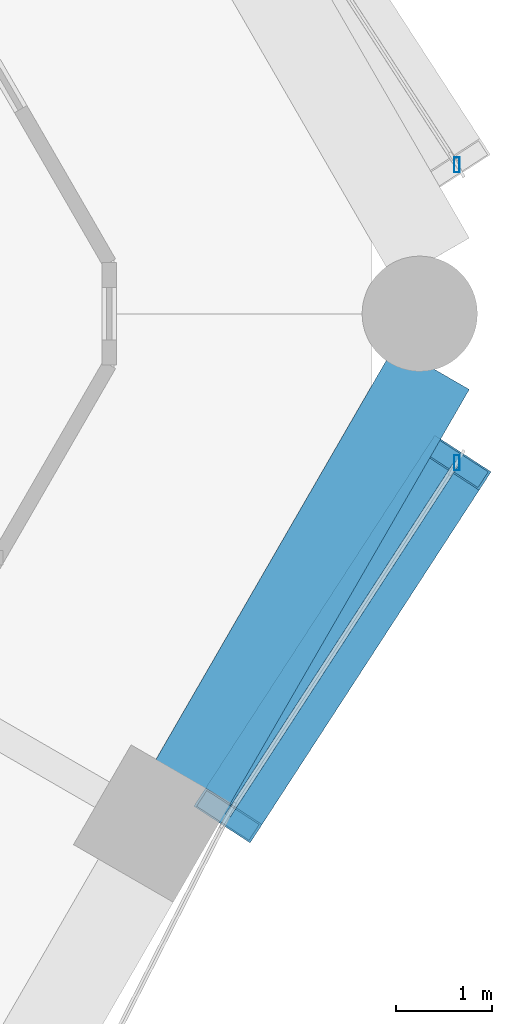
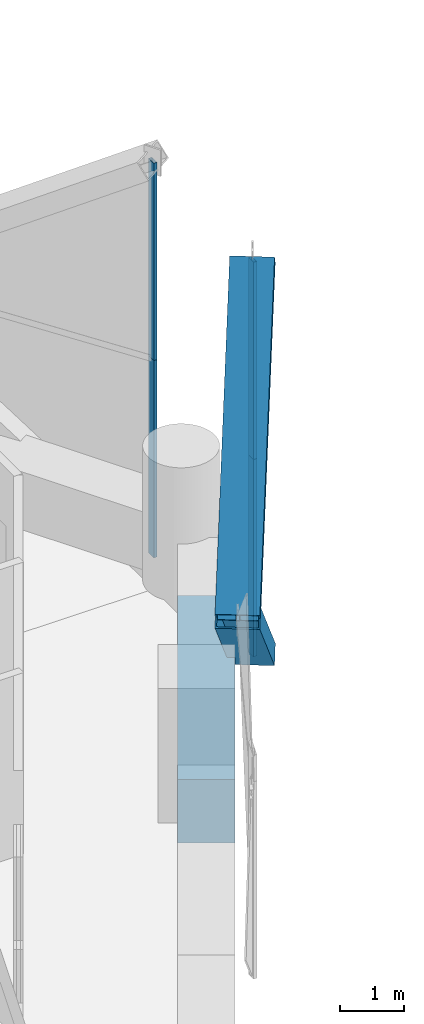
# One storey, part 13 of 36: 7 members, 1 beam, 3 elements without a shape of their own.
"""IFC4 building model written with IfcOpenShell, lengths in metres."""

from ifc_helpers import new_model, si_unit, direction, frame, origin, origin_2d, place, context, subcontext, project, spatial, rectangle, hollow_rectangle, extrude, material, material_profile, profile_set, type_object, element, aggregate, save


model = new_model("IFC4")

# Units and contexts
model_context = context("Model", 3, precision=1e-05, world=origin(), true_north=direction((0.0, 1.0)))
body_context = subcontext(model_context, "Body", "Model", "MODEL_VIEW")
ifc_project = project(units=[si_unit("LENGTHUNIT", "METRE"), si_unit("AREAUNIT", "SQUARE_METRE"), si_unit("VOLUMEUNIT", "CUBIC_METRE"), si_unit("PLANEANGLEUNIT", "RADIAN"), si_unit("MASSUNIT", "GRAM", prefix="KILO")], contexts=[model_context])

# Site, building, storey
site_placement = place(None, origin())
site = spatial("IfcSite", under=ifc_project, at=site_placement, CompositionType="ELEMENT")
building_placement = place(site_placement, origin())
building = spatial("IfcBuilding", under=site, at=building_placement, Name="Ostrander Bayou Hotel Tower", CompositionType="ELEMENT")
storey_placement = place(building_placement, frame((0.0, 0.0, 138.5)))
storey = spatial("IfcBuildingStorey", under=building, at=storey_placement, Name="L34", CompositionType="ELEMENT", Elevation=138.5)

# Curtain wall, members
ifc_material_1 = material(Name="Aluminium and clear glass", Category="aluminium")
curtain_wall_type = type_object("IfcCurtainWallType", Name="CW-LAT lattice glazing", PredefinedType="NOTDEFINED", material=ifc_material_1)
curtain_wall_1_placement = place(storey_placement, origin())
curtain_wall_1 = element("IfcCurtainWall", 1, at=curtain_wall_1_placement, inside=storey, type_object=curtain_wall_type, Name="CW-LAT L34 SE 1", PredefinedType="NOTDEFINED")
ifc_material_2 = material(Name="Aluminium", Category="aluminium")
ifc_material_profile_1 = material_profile(ifc_material_2, hollow_rectangle(XDim=0.06005859375, YDim=0.159912109375, WallThickness=0.00390625, at=origin_2d()))
ifc_profile_set_1 = profile_set([ifc_material_profile_1], Name="Aluminium")
member_type_1 = type_object("IfcMemberType", Name="CW-LA mullion 60 x 160 mm", PredefinedType="MULLION", material=ifc_profile_set_1)
member_1_placement = place(storey_placement, frame((22.188720703125, -2.7080078125, -0.60009765625), z_axis=(0.0, 0.0, 1.0), x_axis=(1.0, 0.0, 0.0)))
member_1 = element("IfcMember", 2, at=member_1_placement, type_object=member_type_1, Name="CW-LAT mullion 5", PredefinedType="MULLION", context=body_context, shape_type="SweptSolid", body=[
    extrude(hollow_rectangle(XDim=0.06005859375, YDim=0.159912109375, WallThickness=0.00390625, at=origin_2d()), origin(), (0.0, 0.0, 1.0), 3.75),
])
member_2_placement = place(storey_placement, frame((22.188720703125, -2.7080078125, 3.14990234375), z_axis=(0.0, 0.0, 1.0), x_axis=(1.0, 0.0, 0.0)))
member_2 = element("IfcMember", 3, at=member_2_placement, type_object=member_type_1, Name="CW-LAT mullion 6", PredefinedType="MULLION", context=body_context, shape_type="SweptSolid", body=[
    extrude(hollow_rectangle(XDim=0.06005859375, YDim=0.159912109375, WallThickness=0.00390625, at=origin_2d()), origin(), (0.0, 0.0, 1.0), 3.75),
])
aggregate(curtain_wall_1, [member_1, member_2])

curtain_wall_2_placement = place(storey_placement, origin())
curtain_wall_2 = element("IfcCurtainWall", 4, at=curtain_wall_2_placement, inside=storey, type_object=curtain_wall_type, Name="CW-LAT L34 NE 1", PredefinedType="NOTDEFINED")
member_3_placement = place(storey_placement, frame((22.188720703125, 0.39501953125, -0.60009765625), z_axis=(0.0, 0.0, 1.0), x_axis=(1.0, 0.0, 0.0)))
member_3 = element("IfcMember", 5, at=member_3_placement, type_object=member_type_1, Name="CW-LAT mullion 1", PredefinedType="MULLION", context=body_context, shape_type="SweptSolid", body=[
    extrude(hollow_rectangle(XDim=0.06005859375, YDim=0.159912109375, WallThickness=0.00390625, at=origin_2d()), origin(), (0.0, 0.0, 1.0), 3.75),
])
member_4_placement = place(storey_placement, frame((22.188720703125, 0.39501953125, 3.14990234375), z_axis=(0.0, 0.0, 1.0), x_axis=(1.0, 0.0, 0.0)))
member_4 = element("IfcMember", 6, at=member_4_placement, type_object=member_type_1, Name="CW-LAT mullion 2", PredefinedType="MULLION", context=body_context, shape_type="SweptSolid", body=[
    extrude(hollow_rectangle(XDim=0.06005859375, YDim=0.159912109375, WallThickness=0.00390625, at=origin_2d()), origin(), (0.0, 0.0, 1.0), 3.75),
])
aggregate(curtain_wall_2, [member_3, member_4])

# Curtain wall, member
curtain_wall_3_placement = place(storey_placement, origin())
curtain_wall_3 = element("IfcCurtainWall", 7, at=curtain_wall_3_placement, inside=storey, type_object=curtain_wall_type, Name="CW-LAT L34 SE 2", PredefinedType="NOTDEFINED")
ifc_material_3 = material(Name="Aluminium", Category="aluminium")
ifc_material_profile_2 = material_profile(ifc_material_3, hollow_rectangle(XDim=0.06005859375, YDim=0.1201171875, WallThickness=0.00390625, at=origin_2d()))
ifc_profile_set_2 = profile_set([ifc_material_profile_2], Name="Aluminium")
member_type_2 = type_object("IfcMemberType", Name="CW-LA transom 60 x 120 mm", PredefinedType="USERDEFINED", material=ifc_profile_set_2)
member_5_placement = place(storey_placement, frame((22.188720703125, -2.7080078125, 3.14990234375), z_axis=(-0.544627844501, -0.838677835044, 0.0), x_axis=(0.838677835044, -0.544627844501, 0.0)))
member_5 = element("IfcMember", 8, at=member_5_placement, type_object=member_type_2, Name="CW-LAT transom 7", ObjectType="TRANSOM", PredefinedType="USERDEFINED", context=body_context, shape_type="SweptSolid", body=[
    extrude(hollow_rectangle(XDim=0.06005859375, YDim=0.1201171875, WallThickness=0.00390625, at=origin_2d()), origin(), (0.0, 0.0, 1.0), 4.380615234375),
])
aggregate(curtain_wall_3, [member_5])

# Members
ifc_material_4 = material(Name="Steel ASTM A572 Gr 50", Category="steel")
ifc_material_profile_3 = material_profile(ifc_material_4, hollow_rectangle(XDim=0.699951171875, YDim=0.35009765625, WallThickness=0.02490234375, at=origin_2d()))
ifc_profile_set_3 = profile_set([ifc_material_profile_3], Name="Steel ASTM A572 Gr 50")
member_type_3 = type_object("IfcMemberType", Name="LT1 lattice member box 700 x 350 x 25 mm", PredefinedType="BRACE", material=ifc_profile_set_3)
for number, where, z_axis, x_axis, name in (
    (9, (19.802978515625, -6.3818359375, 3.14990234375), (0.413732210593, 0.637110346399, -0.650319970806), (-0.838677835044, 0.544627844501, 0.0), "LT1 L34 SE 1"),
    (10, (19.802978515625, -6.3818359375, 3.14990234375), (0.413732210593, 0.637110346399, 0.650319970806), (-0.838677835044, 0.544627844501, 0.0), "LT1 L34 SE 2"),
):
    element("IfcMember", number, at=place(storey_placement, frame(where, z_axis=z_axis, x_axis=x_axis)), inside=storey, type_object=member_type_3, Name=name, PredefinedType="BRACE", context=body_context, shape_type="SweptSolid", body=[
        extrude(hollow_rectangle(XDim=0.699951171875, YDim=0.35009765625, WallThickness=0.02490234375, at=origin_2d()), origin(), (0.0, 0.0, 1.0), 5.766357421875),
    ])

# Beam
ifc_material_5 = material(Name="Concrete f'c 70 MPa", Category="concrete")
ifc_material_profile_4 = material_profile(ifc_material_5, rectangle(XDim=0.89990234375, YDim=1.199951171875, at=origin_2d()))
ifc_profile_set_4 = profile_set([ifc_material_profile_4], Name="Concrete f'c 70 MPa")
beam_type = type_object("IfcBeamType", Name="SP2 spandrel beam 900 x 1200 mm f'c 70 MPa", PredefinedType="SPANDREL", material=ifc_profile_set_4)
beam_placement = place(storey_placement, frame((19.428955078125, -6.048095703125, -0.60009765625), z_axis=(0.500011423449, 0.866018808352, 0.0), x_axis=(-0.866018808352, 0.500011423449, 0.0)))
element("IfcBeam", 11, at=beam_placement, inside=storey, type_object=beam_type, Name="SP2 L34 SE-3", PredefinedType="SPANDREL", context=body_context, shape_type="SweptSolid", body=[
    extrude(rectangle(XDim=0.89990234375, YDim=1.199951171875, at=origin_2d()), origin(), (0.0, 0.0, 1.0), 4.99755859375),
])

save(model, "model.ifc")
